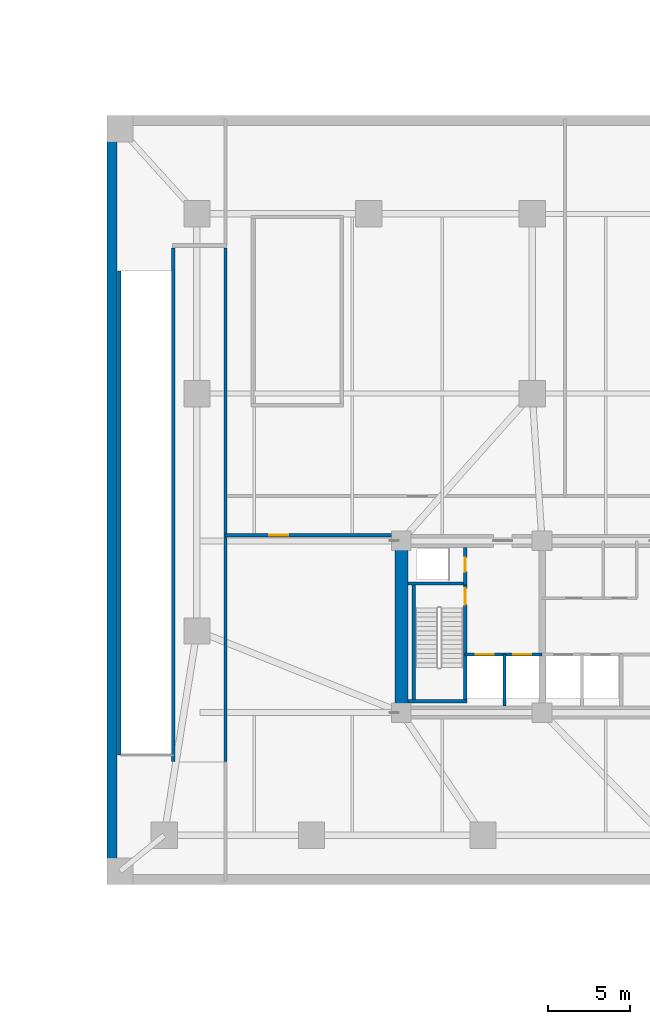
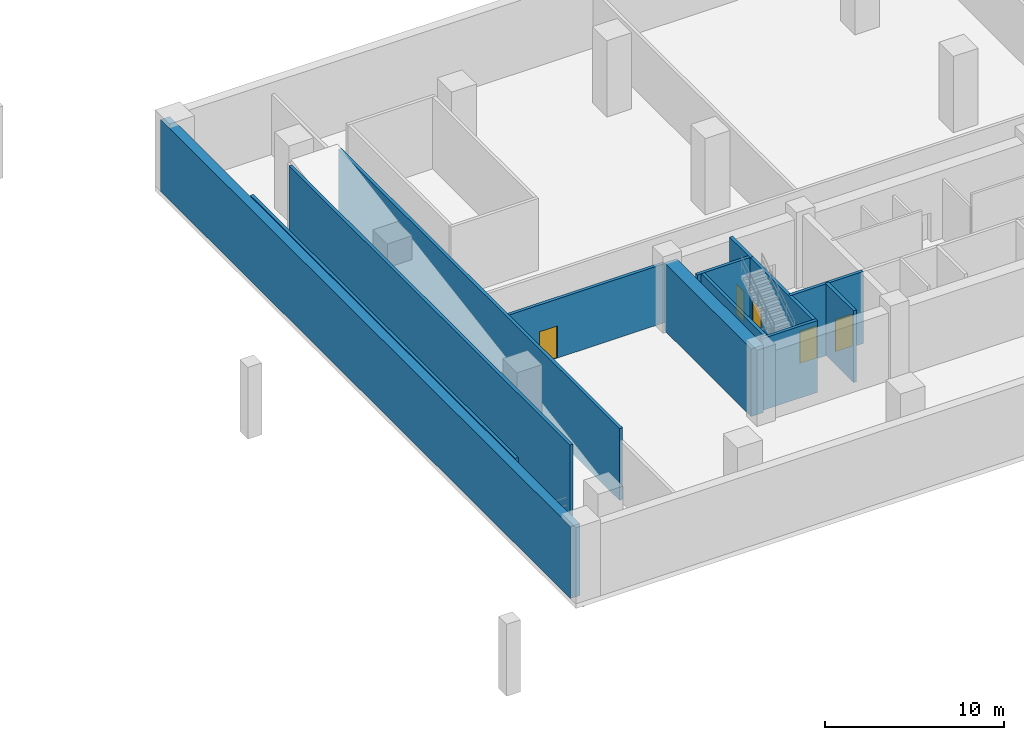
# One storey, part 4 of 9: 13 walls, 5 doors, 5 openings.
"""IFC4 building model written with IfcOpenShell, lengths in metres."""

from ifc_helpers import new_model, si_unit, direction, frame, frame_2d, origin, place, context, subcontext, project, spatial, rectangle, extrude, material, layer, layer_set, type_object, element, fill, save


model = new_model("IFC4")

# Units and contexts
model_context = context("Model", 3, precision=1e-05, world=origin(), true_north=direction((0.0, 1.0)))
body_context = subcontext(model_context, "Body", "Model", "MODEL_VIEW")
ifc_project = project(units=[si_unit("LENGTHUNIT", "METRE"), si_unit("AREAUNIT", "SQUARE_METRE"), si_unit("VOLUMEUNIT", "CUBIC_METRE"), si_unit("PLANEANGLEUNIT", "RADIAN"), si_unit("MASSUNIT", "GRAM", prefix="KILO")], contexts=[model_context])

# Site, building, storey
site_placement = place(None, origin())
site = spatial("IfcSite", under=ifc_project, at=site_placement, CompositionType="ELEMENT")
building_placement = place(site_placement, origin())
building = spatial("IfcBuilding", under=site, at=building_placement, Name="Solmavex Isthmus Hotel", CompositionType="ELEMENT")
storey_placement = place(building_placement, frame((0.0, 0.0, -5.199951171875)))
storey = spatial("IfcBuildingStorey", under=building, at=storey_placement, Name="B01", CompositionType="ELEMENT", Elevation=-5.199951171875)

# Wall, opening, door
ifc_material_1 = material(Name="Concrete C40/50", Category="concrete")
ifc_layer_1 = layer(ifc_material_1, 0.199951171875)
ifc_layer_set_1 = layer_set([ifc_layer_1], Name="Concrete C40/50")
wall_type_1 = type_object("IfcWallType", Name="IW-SHAFT-200", PredefinedType="PARTITIONING", material=ifc_layer_set_1)
wall_1_placement = place(storey_placement, frame((-12.10009765625, -5.199951171875, 0.0), z_axis=(0.0, 0.0, 1.0), x_axis=(0.0, 1.0, 0.0)))
wall_1 = element("IfcWall", 1, at=wall_1_placement, inside=storey, type_object=wall_type_1, Name="Interior Partition Wall W-B01-RSW-E", PredefinedType="PARTITIONING", context=body_context, shape_type="SweptSolid", body=[
    extrude(rectangle(XDim=2.300048828125, YDim=0.199951171875, at=frame_2d((1.14990234375, 0.0))), origin(), (0.0, 0.0, 1.0), 4.89990234375),
])
opening_1_placement = place(wall_1_placement, frame((0.824951171875, 0.0, 0.0)))
opening_1 = element("IfcOpeningElement", 2, at=opening_1_placement, cuts=wall_1, Name="Opening ID-R085", PredefinedType="OPENING", context=body_context, shape_type="SweptSolid", body=[
    extrude(rectangle(XDim=0.85009765625, YDim=2.050048828125, at=frame_2d((0.425048828125, 1.02490234375))), frame((0.0, 0.10986328125, 0.0), z_axis=(0.0, -1.0, 0.0), x_axis=(1.0, 0.0, 0.0)), (0.0, 0.0, 1.0), 0.219970703125),
])
ifc_material_2 = material(Name="Steel ASTM A500 Grade C", Category="steel")
door_type_1 = type_object("IfcDoorType", Name="IDR-FD60-0850", OperationType="NOTDEFINED", PredefinedType="DOOR", material=ifc_material_2)
door_1_placement = place(opening_1_placement, origin())
door_1 = element("IfcDoor", 3, at=door_1_placement, inside=storey, type_object=door_type_1, Name="Electrical Riser Door B01", OperationType="SINGLE_SWING_RIGHT", OverallHeight=2.050048828125, OverallWidth=0.85009765625, PredefinedType="DOOR", context=body_context, shape_type="SweptSolid", body=[
    extrude(rectangle(XDim=0.85009765625, YDim=2.050048828125, at=frame_2d((0.425048828125, 1.02490234375))), frame((0.0, 0.02490234375, 0.0), z_axis=(0.0, -1.0, 0.0), x_axis=(1.0, 0.0, 0.0)), (0.0, 0.0, 1.0), 0.050048828125),
])
fill(opening_1, door_1)

# Wall, openings, doors
wall_2_placement = place(storey_placement, frame((-12.10009765625, -9.449951171875, 0.0), z_axis=(0.0, 0.0, 1.0), x_axis=(1.0, 0.0, 0.0)))
wall_2 = element("IfcWall", 4, at=wall_2_placement, inside=storey, type_object=wall_type_1, Name="Interior Partition Wall W-B01-FFLW-S", PredefinedType="PARTITIONING", context=body_context, shape_type="SweptSolid", body=[
    extrude(rectangle(XDim=4.7001953125, YDim=0.199951171875, at=frame_2d((2.35009765625, 0.0))), origin(), (0.0, 0.0, 1.0), 4.89990234375),
])
opening_2_placement = place(wall_2_placement, frame((0.64990234375, 0.0, 0.0)))
opening_2 = element("IfcOpeningElement", 5, at=opening_2_placement, cuts=wall_2, Name="Opening LD-FF", PredefinedType="OPENING", context=body_context, shape_type="SweptSolid", body=[
    extrude(rectangle(XDim=1.10009765625, YDim=2.199951171875, at=frame_2d((0.550048828125, 1.10009765625))), frame((0.0, 0.10986328125, 0.0), z_axis=(0.0, -1.0, 0.0), x_axis=(1.0, 0.0, 0.0)), (0.0, 0.0, 1.0), 0.219970703125),
])
opening_3_placement = place(wall_2_placement, frame((2.949951171875, 0.0, 0.0)))
opening_3 = element("IfcOpeningElement", 6, at=opening_3_placement, cuts=wall_2, Name="Opening LD-SV", PredefinedType="OPENING", context=body_context, shape_type="SweptSolid", body=[
    extrude(rectangle(XDim=1.10009765625, YDim=2.199951171875, at=frame_2d((0.550048828125, 1.10009765625))), frame((0.0, 0.10986328125, 0.0), z_axis=(0.0, -1.0, 0.0), x_axis=(1.0, 0.0, 0.0)), (0.0, 0.0, 1.0), 0.219970703125),
])
ifc_material_3 = material(Name="Stainless steel 316", Category="steel")
door_type_2 = type_object("IfcDoorType", Name="LDR-FF-1100", OperationType="NOTDEFINED", PredefinedType="DOOR", material=ifc_material_3)
door_2_placement = place(opening_2_placement, origin())
door_2 = element("IfcDoor", 7, at=door_2_placement, inside=storey, type_object=door_type_2, Name="Lift Landing Door FFL-1 B01", OperationType="SLIDING_TO_LEFT", OverallHeight=2.199951171875, OverallWidth=1.10009765625, PredefinedType="DOOR", context=body_context, shape_type="SweptSolid", body=[
    extrude(rectangle(XDim=1.10009765625, YDim=2.199951171875, at=frame_2d((0.550048828125, 1.10009765625))), frame((0.0, 0.02490234375, 0.0), z_axis=(0.0, -1.0, 0.0), x_axis=(1.0, 0.0, 0.0)), (0.0, 0.0, 1.0), 0.050048828125),
])
fill(opening_2, door_2)
door_type_3 = type_object("IfcDoorType", Name="LDR-SV-1100", OperationType="NOTDEFINED", PredefinedType="DOOR", material=ifc_material_3)
door_3_placement = place(opening_3_placement, origin())
door_3 = element("IfcDoor", 8, at=door_3_placement, inside=storey, type_object=door_type_3, Name="Lift Landing Door SVL-1 B01", OperationType="SLIDING_TO_RIGHT", OverallHeight=2.199951171875, OverallWidth=1.10009765625, PredefinedType="DOOR", context=body_context, shape_type="SweptSolid", body=[
    extrude(rectangle(XDim=1.10009765625, YDim=2.199951171875, at=frame_2d((0.550048828125, 1.10009765625))), frame((0.0, 0.02490234375, 0.0), z_axis=(0.0, -1.0, 0.0), x_axis=(1.0, 0.0, 0.0)), (0.0, 0.0, 1.0), 0.050048828125),
])
fill(opening_3, door_3)

# Wall
wall_3_placement = place(storey_placement, frame((-9.699951171875, -12.60009765625, 0.0), z_axis=(0.0, 0.0, 1.0), x_axis=(0.0, 1.0, 0.0)))
element("IfcWall", 9, at=wall_3_placement, inside=storey, type_object=wall_type_1, Name="Interior Partition Wall W-B01-FFLW-M", PredefinedType="PARTITIONING", context=body_context, shape_type="SweptSolid", body=[
    extrude(rectangle(XDim=3.150146484375, YDim=0.199951171875, at=frame_2d((1.5751953125, 0.0))), origin(), (0.0, 0.0, 1.0), 4.89990234375),
])

# Wall, opening, door
wall_4_placement = place(storey_placement, frame((-26.75, -2.14990234375, 0.0), z_axis=(0.0, 0.0, 1.0), x_axis=(1.0, 0.0, 0.0)))
wall_4 = element("IfcWall", 10, at=wall_4_placement, inside=storey, type_object=wall_type_1, Name="Interior Partition Wall W-B01-S", PredefinedType="PARTITIONING", context=body_context, shape_type="SweptSolid", body=[
    extrude(rectangle(XDim=10.75, YDim=0.199951171875, at=frame_2d((5.375, 0.0))), origin(), (0.0, 0.0, 1.0), 4.029541015625),
])
opening_4_placement = place(wall_4_placement, frame((2.675048828125, 0.0, 0.0)))
opening_4 = element("IfcOpeningElement", 11, at=opening_4_placement, cuts=wall_4, Name="Opening ID-C115", PredefinedType="OPENING", context=body_context, shape_type="SweptSolid", body=[
    extrude(rectangle(XDim=1.14990234375, YDim=2.199951171875, at=frame_2d((0.574951171875, 1.10009765625))), frame((0.0, 0.10986328125, 0.0), z_axis=(0.0, -1.0, 0.0), x_axis=(1.0, 0.0, 0.0)), (0.0, 0.0, 1.0), 0.219970703125),
])
ifc_material_4 = material(Name="Hardwood timber", Category="wood")
door_type_4 = type_object("IfcDoorType", Name="IDR-FD60-1150", OperationType="NOTDEFINED", PredefinedType="DOOR", material=ifc_material_4)
door_4_placement = place(opening_4_placement, origin())
door_4 = element("IfcDoor", 12, at=door_4_placement, inside=storey, type_object=door_type_4, Name="Basement Service Door D-B01-HK", OperationType="SINGLE_SWING_LEFT", OverallHeight=2.199951171875, OverallWidth=1.14990234375, PredefinedType="DOOR", context=body_context, shape_type="SweptSolid", body=[
    extrude(rectangle(XDim=1.14990234375, YDim=2.199951171875, at=frame_2d((0.574951171875, 1.10009765625))), frame((0.0, 0.02490234375, 0.0), z_axis=(0.0, -1.0, 0.0), x_axis=(1.0, 0.0, 0.0)), (0.0, 0.0, 1.0), 0.050048828125),
])
fill(opening_4, door_4)

# Walls
ifc_material_5 = material(Name="Concrete C70/85", Category="concrete")
ifc_layer_2 = layer(ifc_material_5, 0.800048828125)
ifc_layer_set_2 = layer_set([ifc_layer_2], Name="Concrete C70/85")
wall_type_2 = type_object("IfcWallType", Name="WALL-CW-800", PredefinedType="SHEAR", material=ifc_layer_set_2)
wall_5_placement = place(storey_placement, frame((-16.0, -12.60009765625, 0.0), z_axis=(0.0, 0.0, 1.0), x_axis=(0.0, 1.0, 0.0)))
element("IfcWall", 13, at=wall_5_placement, inside=storey, type_object=wall_type_2, Name="Core Shear Wall West B01", PredefinedType="SHEAR", context=body_context, shape_type="SweptSolid", body=[
    extrude(rectangle(XDim=9.7001953125, YDim=0.800048828125, at=frame_2d((4.85009765625, 0.0))), origin(), (0.0, 0.0, 1.0), 4.619873046875),
])
ifc_material_6 = material(Name="Concrete C50/60", Category="concrete")
ifc_layer_3 = layer(ifc_material_6, 0.60009765625)
ifc_layer_set_3 = layer_set([ifc_layer_3], Name="Concrete C50/60")
wall_type_3 = type_object("IfcWallType", Name="WALL-RET-600", PredefinedType="SOLIDWALL", material=ifc_layer_set_3)
wall_6_placement = place(storey_placement, frame((-33.699951171875, -22.89990234375, 0.0), z_axis=(0.0, 0.0, 1.0), x_axis=(0.0, 1.0, 0.0)))
element("IfcWall", 14, at=wall_6_placement, inside=storey, type_object=wall_type_3, Name="Basement Retaining Wall West B01", PredefinedType="SOLIDWALL", context=body_context, shape_type="SweptSolid", body=[
    extrude(rectangle(XDim=45.7998046875, YDim=0.60009765625, at=frame_2d((22.89990234375, 0.0))), origin(), (0.0, 0.0, 1.0), 4.89990234375),
])
ifc_layer_4 = layer(ifc_material_1, 0.199951171875)
ifc_layer_set_4 = layer_set([ifc_layer_4], Name="Concrete C40/50")
wall_type_4 = type_object("IfcWallType", Name="WALL-SW-200", PredefinedType="SOLIDWALL", material=ifc_layer_set_4)
for number, where, z_axis, x_axis, name in (
    (15, (-15.60009765625, -12.300048828125, 0.0), (0.0, 0.0, 1.0), (1.0, 0.0, 0.0), "Stairwell Structural Wall SW-B01-ST1-S"),
    (16, (-15.60009765625, -5.10009765625, 0.0), (0.0, 0.0, 1.0), (1.0, 0.0, 0.0), "Stairwell Structural Wall SW-B01-ST1-N"),
):
    element("IfcWall", number, at=place(storey_placement, frame(where, z_axis=z_axis, x_axis=x_axis)), inside=storey, type_object=wall_type_4, Name=name, PredefinedType="SOLIDWALL", context=body_context, shape_type="SweptSolid", body=[
        extrude(rectangle(XDim=3.60009765625, YDim=0.199951171875, at=frame_2d((1.800048828125, 0.0))), origin(), (0.0, 0.0, 1.0), 4.89990234375),
    ])
wall_7_placement = place(storey_placement, frame((-15.25, -12.199951171875, 0.0), z_axis=(0.0, 0.0, 1.0), x_axis=(0.0, 1.0, 0.0)))
element("IfcWall", 17, at=wall_7_placement, inside=storey, type_object=wall_type_4, Name="Stairwell Structural Wall SW-B01-ST1-W", PredefinedType="SOLIDWALL", context=body_context, shape_type="SweptSolid", body=[
    extrude(rectangle(XDim=7.0, YDim=0.199951171875, at=frame_2d((3.5, 0.0))), origin(), (0.0, 0.0, 1.0), 4.89990234375),
])

# Wall, opening, door
wall_8_placement = place(storey_placement, frame((-12.10009765625, -12.199951171875, 0.0), z_axis=(0.0, 0.0, 1.0), x_axis=(0.0, 1.0, 0.0)))
wall_8 = element("IfcWall", 18, at=wall_8_placement, inside=storey, type_object=wall_type_4, Name="Stairwell Structural Wall SW-B01-ST1-E", PredefinedType="SOLIDWALL", context=body_context, shape_type="SweptSolid", body=[
    extrude(rectangle(XDim=7.0, YDim=0.199951171875, at=frame_2d((3.5, 0.0))), origin(), (0.0, 0.0, 1.0), 4.89990234375),
])
opening_5_placement = place(wall_8_placement, frame((5.800048828125, 0.0, 0.0)))
opening_5 = element("IfcOpeningElement", 19, at=opening_5_placement, cuts=wall_8, Name="Opening ID-F100", PredefinedType="OPENING", context=body_context, shape_type="SweptSolid", body=[
    extrude(rectangle(XDim=1.0, YDim=2.10009765625, at=frame_2d((0.5, 1.050048828125))), frame((0.0, 0.10986328125, 0.0), z_axis=(0.0, -1.0, 0.0), x_axis=(1.0, 0.0, 0.0)), (0.0, 0.0, 1.0), 0.219970703125),
])
door_type_5 = type_object("IfcDoorType", Name="IDR-FD90-1000", OperationType="NOTDEFINED", PredefinedType="DOOR", material=ifc_material_2)
door_5_placement = place(opening_5_placement, frame((1.0, 0.0, 0.0), z_axis=(0.0, 0.0, 1.0), x_axis=(-1.0, 0.0, 0.0)))
door_5 = element("IfcDoor", 20, at=door_5_placement, inside=storey, type_object=door_type_5, Name="Stair ST-1 Fire Door B01", OperationType="SINGLE_SWING_LEFT", OverallHeight=2.10009765625, OverallWidth=1.0, PredefinedType="DOOR", context=body_context, shape_type="SweptSolid", body=[
    extrude(rectangle(XDim=1.0, YDim=2.10009765625, at=frame_2d((0.5, 1.050048828125))), frame((0.0, 0.02490234375, 0.0), z_axis=(0.0, -1.0, 0.0), x_axis=(1.0, 0.0, 0.0)), (0.0, 0.0, 1.0), 0.050048828125),
])
fill(opening_5, door_5)

# Walls
for number, where, z_axis, x_axis, name in (
    (21, (-29.949951171875, -16.0, 0.0), (0.0, 0.0, 1.0), (0.0, 1.0, 0.0), "Ramp Flight R2 West Side Wall B01"),
    (22, (-26.75, -16.0, 0.0), (0.0, 0.0, 1.0), (0.0, 1.0, 0.0), "Ramp Flight R2 East Side Wall B01"),
):
    element("IfcWall", number, at=place(storey_placement, frame(where, z_axis=z_axis, x_axis=x_axis)), inside=storey, type_object=wall_type_4, Name=name, PredefinedType="SOLIDWALL", context=body_context, shape_type="SweptSolid", body=[
        extrude(rectangle(XDim=31.419921875, YDim=0.199951171875, at=frame_2d((15.7099609375, 0.0))), origin(), (0.0, 0.0, 1.0), 4.89990234375),
    ])
wall_9_placement = place(storey_placement, frame((-33.25, -15.60009765625, 0.0), z_axis=(0.0, 0.0, 1.0), x_axis=(0.0, 1.0, 0.0)))
element("IfcWall", 23, at=wall_9_placement, inside=storey, type_object=wall_type_4, Name="Ramp Well R1 West Enclosure Wall B01", PredefinedType="SOLIDWALL", context=body_context, shape_type="SweptSolid", body=[
    extrude(rectangle(XDim=29.60009765625, YDim=0.199951171875, at=frame_2d((14.800048828125, 0.0))), origin(), (0.0, 0.0, 1.0), 4.89990234375),
])

save(model, "model.ifc")
